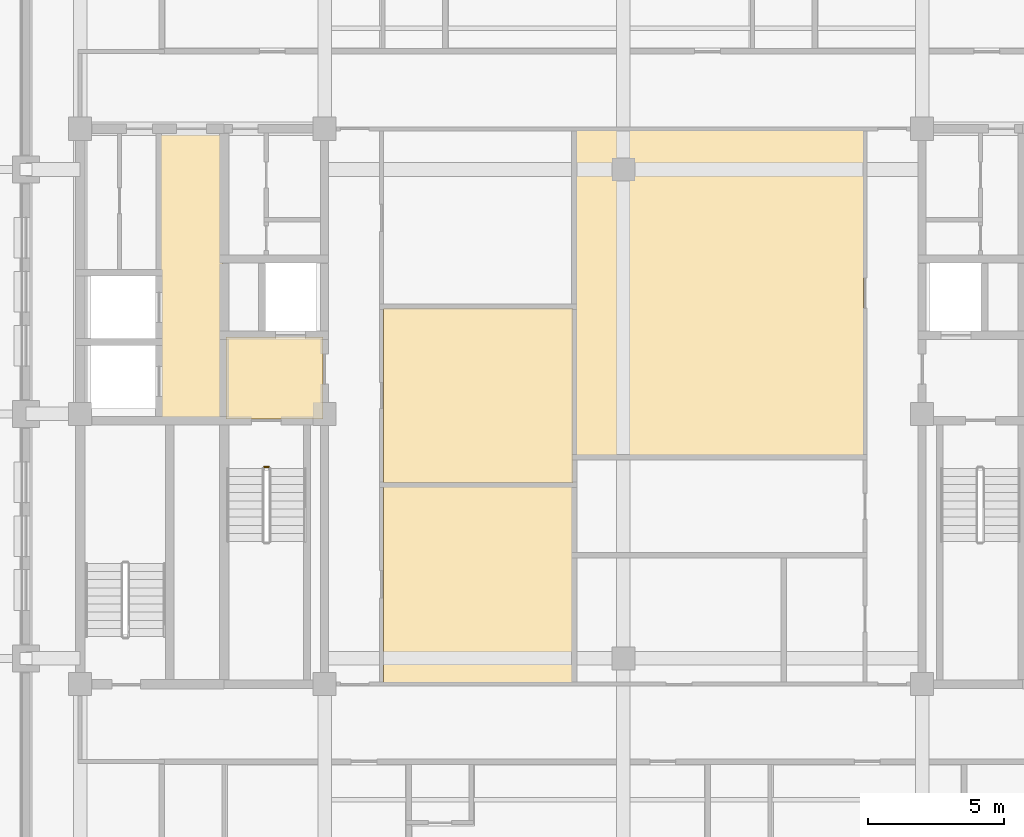
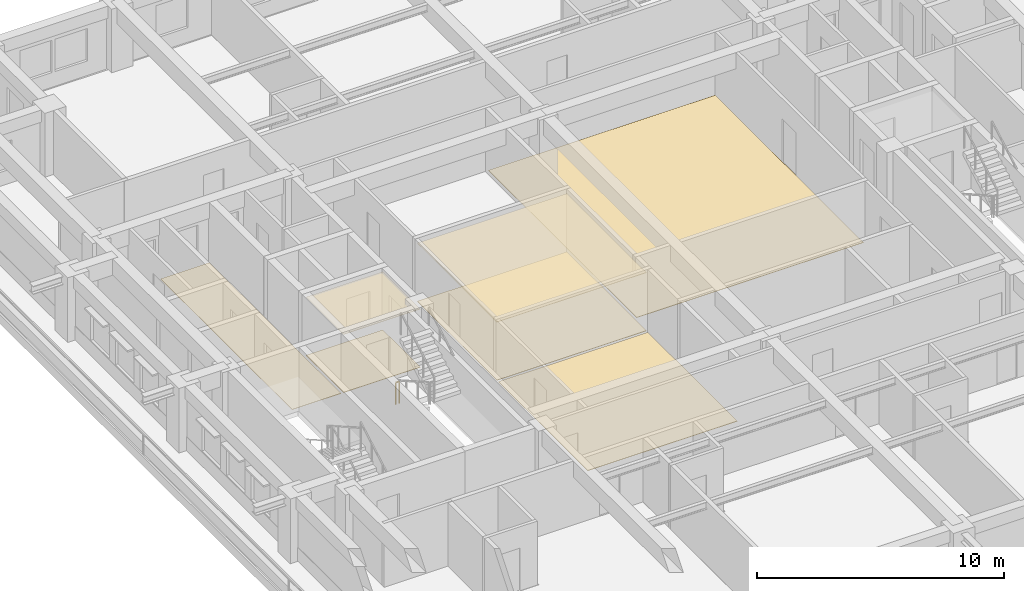
# One storey, part 11 of 13: 7 coverings, 1 railing.
"""IFC4 building model written with IfcOpenShell, lengths in metres."""

import ifcopenshell
import ifcopenshell.guid

model = None  # the IFC model being written
_history = None  # IfcOwnerHistory: only IFC2X3 demands one
_inside = {}  # id of a spatial element -> (the spatial element, [elements in it])
_under = {}  # id of a project, library or spatial element -> (it, [spatial elements below it])
_declared = {}  # id of a project -> (the project, [libraries it declares])
_typed = {}  # id of a type object -> (the type object, [elements of that type])
_made_of = {}  # id of a material, layer set ... -> (it, [elements and type objects made of it])


def new_model(schema):
    """Start an empty IFC model of exactly this schema.

    Asked for "IFC4X3", IfcOpenShell would pick the latest addendum, in which some entities
    have other attributes; the version numbers below select the first issue.
    IFC2X3 requires an IfcOwnerHistory on every rooted entity: one is made here for all.
    """
    global model, _history
    if schema == "IFC4X3":
        model = ifcopenshell.file(schema_version=(4, 3, 0, 0))
    else:
        model = ifcopenshell.file(schema=schema)
    _inside.clear()
    _under.clear()
    _declared.clear()
    _typed.clear()
    _made_of.clear()
    _history = None
    if model.schema == "IFC2X3":
        org = make("IfcOrganization", Name="unknown")
        user = make(
            "IfcPersonAndOrganization",
            ThePerson=make("IfcPerson", FamilyName="unknown"),
            TheOrganization=org,
        )
        app = make(
            "IfcApplication",
            ApplicationDeveloper=org,
            Version="unknown",
            ApplicationFullName="unknown",
            ApplicationIdentifier="unknown",
        )
        _history = make(
            "IfcOwnerHistory",
            OwningUser=user,
            OwningApplication=app,
            ChangeAction="ADDED",
            CreationDate=0,
        )
    return model


def make(cls, **values):
    """One entity of the class cls with the attributes given. An attribute that is None is left unset."""
    return model.create_entity(
        cls, **{name: value for name, value in values.items() if value is not None}
    )


def rooted(cls, **values):
    """An entity with a GlobalId (a new one), such as an element, a storey or a relation."""
    return make(cls, GlobalId=ifcopenshell.guid.new(), OwnerHistory=_history, **values)


def si_unit(unit_type, name, prefix=None):
    """IfcSIUnit, for example si_unit("LENGTHUNIT", "METRE", prefix="MILLI")."""
    return make("IfcSIUnit", UnitType=unit_type, Prefix=prefix, Name=name)


def assignment(units):
    """IfcUnitAssignment: the units of a project."""
    return None if units is None else make("IfcUnitAssignment", Units=units)


def point(xyz):
    """IfcCartesianPoint."""
    return None if xyz is None else make("IfcCartesianPoint", Coordinates=xyz)


def direction(xyz):
    """IfcDirection."""
    return None if xyz is None else make("IfcDirection", DirectionRatios=xyz)


def frame(location, z_axis=None, x_axis=None):
    """IfcAxis2Placement3D, a coordinate frame: its origin and axes. An axis left out is left unset."""
    return make(
        "IfcAxis2Placement3D",
        Location=point(location),
        Axis=direction(z_axis),
        RefDirection=direction(x_axis),
    )


def frame_2d(location, x_axis=None):
    """IfcAxis2Placement2D, a coordinate frame in the plane: its origin and x axis."""
    return make(
        "IfcAxis2Placement2D", Location=point(location), RefDirection=direction(x_axis)
    )


def origin():
    """The frame at (0, 0, 0) with its axes left unset."""
    return frame((0.0, 0.0, 0.0))


def origin_2d():
    """The frame at (0, 0) in the plane with its x axis left unset."""
    return frame_2d((0.0, 0.0))


def place(relative_to, where):
    """IfcLocalPlacement: puts the frame where relative to a parent placement (None: the world)."""
    return make(
        "IfcLocalPlacement", PlacementRelTo=relative_to, RelativePlacement=where
    )


def context(
    kind, dimensions, precision=None, world=None, true_north=None, identifier=None
):
    """IfcGeometricRepresentationContext, for example the 3D "Model" context."""
    return make(
        "IfcGeometricRepresentationContext",
        ContextIdentifier=identifier,
        ContextType=kind,
        CoordinateSpaceDimension=dimensions,
        Precision=precision,
        WorldCoordinateSystem=world,
        TrueNorth=true_north,
    )


def subcontext(parent, identifier, kind, view, scale=None):
    """IfcGeometricRepresentationSubContext, for example "Body" below "Model"."""
    return make(
        "IfcGeometricRepresentationSubContext",
        ContextIdentifier=identifier,
        ContextType=kind,
        ParentContext=parent,
        TargetScale=scale,
        TargetView=view,
    )


def project(units=None, contexts=None):
    """IfcProject with its units and contexts."""
    return rooted(
        "IfcProject",
        Name="project",
        RepresentationContexts=contexts,
        UnitsInContext=assignment(units),
    )


def spatial(cls, under=None, at=None, **own):
    """A site, building, storey or space (cls), placed at a placement, below another one or the project."""
    s = rooted(cls, ObjectPlacement=at, **own)
    if under is not None:
        _under.setdefault(under.id(), (under, []))[1].append(s)
    return s


def polyline(points):
    """IfcPolyline through the points."""
    return make("IfcPolyline", Points=[point(p) for p in points])


def profile(cls, at=None, kind="AREA", **sizes):
    """A parametric profile (cls). Its sizes go by their IFC names, for example OverallWidth=200.0."""
    return make(cls, ProfileType=kind, Position=at, **sizes)


def rectangle(**sizes):
    """IfcRectangleProfileDef."""
    return profile("IfcRectangleProfileDef", **sizes)


def outline(outer, holes=None, kind="AREA"):
    """IfcArbitraryClosedProfileDef: a profile drawn as a closed curve; with holes, ...WithVoids."""
    if holes is None:
        return make("IfcArbitraryClosedProfileDef", ProfileType=kind, OuterCurve=outer)
    return make(
        "IfcArbitraryProfileDefWithVoids",
        ProfileType=kind,
        OuterCurve=outer,
        InnerCurves=holes,
    )


def extrude(swept, where, along, depth):
    """IfcExtrudedAreaSolid: the profile swept, set in the frame where, extruded along a direction by depth."""
    return make(
        "IfcExtrudedAreaSolid",
        SweptArea=swept,
        Position=where,
        ExtrudedDirection=direction(along),
        Depth=depth,
    )


def shape(context_of_items, identifier, shape_type, items):
    """IfcShapeRepresentation: the items that make up one representation, for example the "Body"."""
    return make(
        "IfcShapeRepresentation",
        ContextOfItems=context_of_items,
        RepresentationIdentifier=identifier,
        RepresentationType=shape_type,
        Items=items,
    )


def material(Name=None, Category=None):
    """IfcMaterial."""
    return make("IfcMaterial", Name=Name, Category=Category)


def layer(
    of_material, thickness, ventilated=None, Name=None, Category=None, Priority=None
):
    """IfcMaterialLayer: one layer of a wall or slab, of a material (None: an air gap)."""
    return make(
        "IfcMaterialLayer",
        Material=of_material,
        LayerThickness=thickness,
        IsVentilated=ventilated,
        Name=Name,
        Category=Category,
        Priority=Priority,
    )


def layer_set(layers, Name=None):
    """IfcMaterialLayerSet."""
    return make("IfcMaterialLayerSet", MaterialLayers=layers, LayerSetName=Name)


def made_of(thing, what):
    """Note that an element or type object is made of a material, layer set ...; save() writes the relation."""
    if what is not None:
        _made_of.setdefault(what.id(), (what, []))[1].append(thing)
    return thing


def type_object(cls, material=None, **own):
    """A type object (cls), such as IfcWallType, which elements share."""
    return made_of(rooted(cls, **own), material)


def element(
    cls,
    number,
    at=None,
    inside=None,
    cuts=None,
    type_object=None,
    material=None,
    context=None,
    identifier="Body",
    shape_type=None,
    held_by="IfcProductDefinitionShape",
    body=None,
    shapes=None,
    **own,
):
    """One element of the class cls, such as IfcWall. Its Tag is "e" and its number.

    at: its placement. inside: the storey or other place that contains it. cuts: it is an
    opening in that element (IfcRelVoidsElement). A single representation is given by context,
    identifier, shape_type and body (its items); several are given by shapes. held_by: the class
    of the entity that holds the representations. save() writes the other relations.
    """
    e = rooted(cls, Tag="e%d" % number, ObjectPlacement=at, **own)
    if body is not None:
        shapes = [shape(context, identifier, shape_type, body)]
    if shapes is not None:
        e.Representation = make(held_by, Representations=shapes)
    if inside is not None:
        _inside.setdefault(inside.id(), (inside, []))[1].append(e)
    if cuts is not None:
        rooted(
            "IfcRelVoidsElement", RelatingBuildingElement=cuts, RelatedOpeningElement=e
        )
    if type_object is not None:
        _typed.setdefault(type_object.id(), (type_object, []))[1].append(e)
    return made_of(e, material)


def aggregate(whole, parts):
    """IfcRelAggregates: a whole, such as a stair, and the parts it consists of."""
    return rooted("IfcRelAggregates", RelatingObject=whole, RelatedObjects=parts)


def save(model, path):
    """Write the relations noted so far, then the file.

    IfcRelAggregates (storeys below a building ...), IfcRelContainedInSpatialStructure (elements
    in a storey), IfcRelDefinesByType, IfcRelAssociatesMaterial and IfcRelDeclares: one each for
    every whole, place, type object, material and project.
    """
    for whole, parts in _under.values():
        aggregate(whole, parts)
    for where, things in _inside.values():
        rooted(
            "IfcRelContainedInSpatialStructure",
            RelatedElements=things,
            RelatingStructure=where,
        )
    for kind, things in _typed.values():
        rooted("IfcRelDefinesByType", RelatedObjects=things, RelatingType=kind)
    for what, things in _made_of.values():
        rooted("IfcRelAssociatesMaterial", RelatedObjects=things, RelatingMaterial=what)
    for by, libraries in _declared.values():
        rooted("IfcRelDeclares", RelatingContext=by, RelatedDefinitions=libraries)
    model.write(path)


model = new_model("IFC4")

# Units and contexts
model_context = context("Model", 3, precision=1e-05, world=origin(), true_north=direction((0.0, 1.0)))
body_context = subcontext(model_context, "Body", "Model", "MODEL_VIEW")
ifc_project = project(units=[si_unit("LENGTHUNIT", "METRE"), si_unit("AREAUNIT", "SQUARE_METRE"), si_unit("VOLUMEUNIT", "CUBIC_METRE"), si_unit("PLANEANGLEUNIT", "RADIAN"), si_unit("MASSUNIT", "GRAM", prefix="KILO")], contexts=[model_context])

# Site, building, storey
site_placement = place(None, origin())
site = spatial("IfcSite", under=ifc_project, at=site_placement, CompositionType="ELEMENT")
building_placement = place(site_placement, origin())
building = spatial("IfcBuilding", under=site, at=building_placement, Name="Zulmaris Gate Convention Tower", CompositionType="ELEMENT")
storey_placement = place(building_placement, frame((0.0, 0.0, 176.259765625)))
storey = spatial("IfcBuildingStorey", under=building, at=storey_placement, Name="L45", CompositionType="ELEMENT", Elevation=176.259765625)

# Coverings
ifc_material_1 = material(Name="Mineral Fibre Acoustic Ceiling Tile")
ifc_layer_1 = layer(ifc_material_1, 0.02001953125, Name="Mineral Fibre Acoustic Ceiling Tile")
ifc_layer_set_1 = layer_set([ifc_layer_1], Name="Mineral Fibre Acoustic Ceiling Tile")
covering_type_1 = type_object("IfcCoveringType", Name="CLG-ACOUSTIC-600", PredefinedType="CEILING", material=ifc_layer_set_1)
covering_1_placement = place(storey_placement, frame((0.0, 0.0, 2.8701171875)))
element("IfcCovering", 1, at=covering_1_placement, inside=storey, type_object=covering_type_1, Name="CLG-L45-R03", PredefinedType="CEILING", context=body_context, shape_type="SweptSolid", body=[
    extrude(outline(polyline([(-14.639892578125, -0.18994140625), (-11.06005859375, -0.18994140625), (-11.06005859375, 2.840087890625), (-14.639892578125, 2.840087890625), (-14.639892578125, -0.18994140625)])), origin(), (0.0, 0.0, 1.0), 0.02001953125),
])
ifc_material_2 = material(Name="Moisture-Resistant Gypsum Board")
ifc_layer_2 = layer(ifc_material_2, 0.02001953125, Name="Moisture-Resistant Gypsum Board")
ifc_layer_set_2 = layer_set([ifc_layer_2], Name="Moisture-Resistant Gypsum Board")
covering_type_2 = type_object("IfcCoveringType", Name="CLG-GYPSUM-FLUSH", PredefinedType="CEILING", material=ifc_layer_set_2)
covering_2_placement = place(storey_placement, frame((0.0, 0.0, 2.8701171875)))
element("IfcCovering", 2, at=covering_2_placement, inside=storey, type_object=covering_type_2, Name="CLG-L45-R50", PredefinedType="CEILING", context=body_context, shape_type="SweptSolid", body=[
    extrude(outline(polyline([(-8.840087890625, -2.5400390625), (-1.860107421875, -2.5400390625), (-1.860107421875, 3.889892578125), (-8.840087890625, 3.889892578125), (-8.840087890625, -2.5400390625)])), origin(), (0.0, 0.0, 1.0), 0.02001953125),
])
ifc_material_3 = material(Name="Woven Acoustic Wool Carpet Tile")
ifc_layer_3 = layer(ifc_material_3, 0.02001953125, Name="Woven Acoustic Wool Carpet Tile")
ifc_layer_set_3 = layer_set([ifc_layer_3], Name="Woven Acoustic Wool Carpet Tile")
covering_type_3 = type_object("IfcCoveringType", Name="FLR-CARPET-12", PredefinedType="FLOORING", material=ifc_layer_set_3)
covering_3_placement = place(storey_placement, origin())
element("IfcCovering", 3, at=covering_3_placement, inside=storey, type_object=covering_type_3, Name="FLR-L45-R03", PredefinedType="FLOORING", context=body_context, shape_type="SweptSolid", body=[
    extrude(outline(polyline([(-14.639892578125, -0.18994140625), (-11.06005859375, -0.18994140625), (-11.06005859375, 2.840087890625), (-14.639892578125, 2.840087890625), (-14.639892578125, -0.18994140625)])), origin(), (0.0, 0.0, 1.0), 0.02001953125),
])
covering_4_placement = place(storey_placement, origin())
element("IfcCovering", 4, at=covering_4_placement, inside=storey, type_object=covering_type_3, Name="FLR-L45-R21", PredefinedType="FLOORING", context=body_context, shape_type="SweptSolid", body=[
    extrude(outline(polyline([(-17.0400390625, -0.18994140625), (-14.760009765625, -0.18994140625), (-14.760009765625, 10.43994140625), (-17.0400390625, 10.43994140625), (-17.0400390625, -0.18994140625)])), origin(), (0.0, 0.0, 1.0), 0.02001953125),
])
covering_5_placement = place(storey_placement, origin())
element("IfcCovering", 5, at=covering_5_placement, inside=storey, type_object=covering_type_3, Name="FLR-L45-R51", PredefinedType="FLOORING", context=body_context, shape_type="SweptSolid", body=[
    extrude(outline(polyline([(-8.840087890625, -9.889892578125), (-1.860107421875, -9.889892578125), (-1.860107421875, -2.659912109375), (-8.840087890625, -2.659912109375), (-8.840087890625, -9.889892578125)])), origin(), (0.0, 0.0, 1.0), 0.02001953125),
])
ifc_material_4 = material(Name="Polished Granite Terrazzo Tile", Category="masonry")
ifc_layer_4 = layer(ifc_material_4, 0.02001953125, Name="Polished Granite Terrazzo Tile")
ifc_layer_set_4 = layer_set([ifc_layer_4], Name="Polished Granite Terrazzo Tile")
covering_type_4 = type_object("IfcCoveringType", Name="FLR-TERRAZZO-30", PredefinedType="FLOORING", material=ifc_layer_set_4)
covering_6_placement = place(storey_placement, origin())
element("IfcCovering", 6, at=covering_6_placement, inside=storey, type_object=covering_type_4, Name="FLR-L45-R50", PredefinedType="FLOORING", context=body_context, shape_type="SweptSolid", body=[
    extrude(outline(polyline([(-8.840087890625, -2.5400390625), (-1.860107421875, -2.5400390625), (-1.860107421875, 3.889892578125), (-8.840087890625, 3.889892578125), (-8.840087890625, -2.5400390625)])), origin(), (0.0, 0.0, 1.0), 0.02001953125),
])
ifc_material_5 = material(Name="Engineered Teak Parquet Flooring")
ifc_layer_5 = layer(ifc_material_5, 0.02001953125, Name="Engineered Teak Parquet Flooring")
ifc_layer_set_5 = layer_set([ifc_layer_5], Name="Engineered Teak Parquet Flooring")
covering_type_5 = type_object("IfcCoveringType", Name="FLR-TIMBER-18", PredefinedType="FLOORING", material=ifc_layer_set_5)
covering_7_placement = place(storey_placement, origin())
element("IfcCovering", 7, at=covering_7_placement, inside=storey, type_object=covering_type_5, Name="FLR-L45-R52", PredefinedType="FLOORING", context=body_context, shape_type="SweptSolid", body=[
    extrude(outline(polyline([(-1.739990234375, -1.5400390625), (8.840087890625, -1.5400390625), (8.840087890625, 10.43994140625), (-1.739990234375, 10.43994140625), (-1.739990234375, -1.5400390625)])), origin(), (0.0, 0.0, 1.0), 0.02001953125),
])

# Railing
ifc_material_6 = material(Name="Painted Galvanised Steel", Category="steel")
railing_type = type_object("IfcRailingType", Name="RL-STG-1150", PredefinedType="GUARDRAIL", material=ifc_material_6)
railing_placement = place(storey_placement, frame((-13.219970703125, -1.949951171875, 0.0)))
element("IfcRailing", 8, at=railing_placement, inside=storey, type_object=railing_type, Name="L45 ST-1 stair guard 4", PredefinedType="GUARDRAIL", context=body_context, shape_type="SweptSolid", body=[
    extrude(rectangle(XDim=0.048095703125, YDim=0.048095703125, at=origin_2d()), frame((0.0, 0.0, 1.076171875), z_axis=(1.0, 0.0, 0.0), x_axis=(0.0, 1.0, 0.0)), (0.0, 0.0, 1.0), 0.159912109375),
    extrude(rectangle(XDim=0.0419921875, YDim=0.0419921875, at=origin_2d()), origin(), (0.0, 0.0, 1.0), 1.052001953125),
    extrude(rectangle(XDim=0.0419921875, YDim=0.0419921875, at=origin_2d()), frame((0.159912109375, 0.0, 0.0)), (0.0, 0.0, 1.0), 1.052001953125),
])

save(model, "model.ifc")
